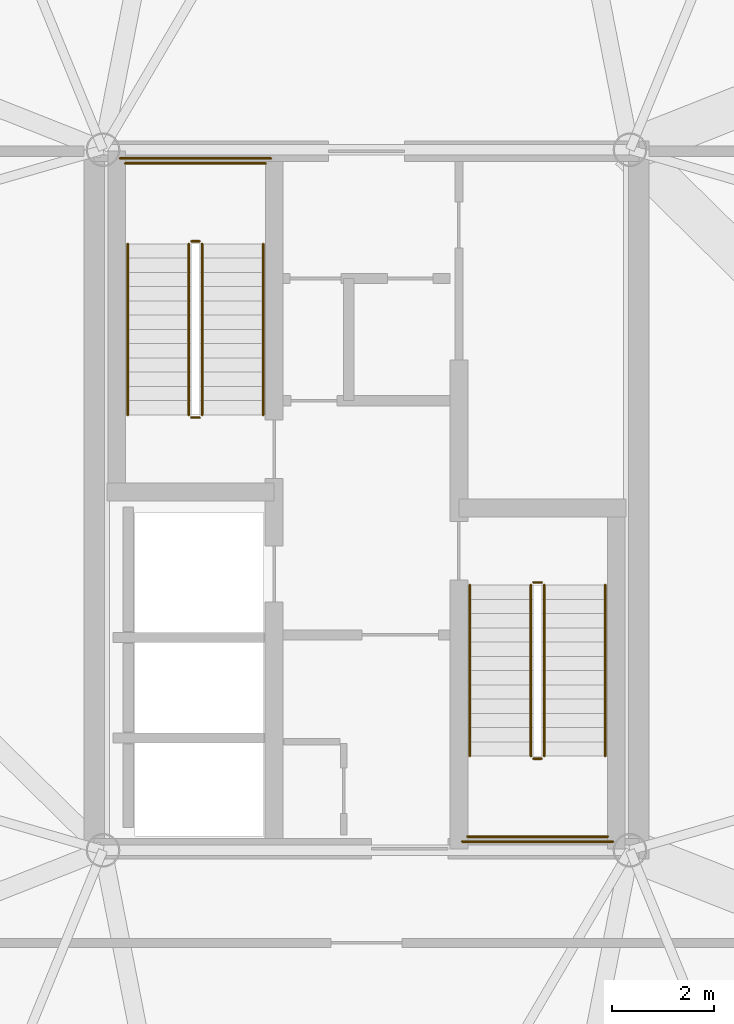
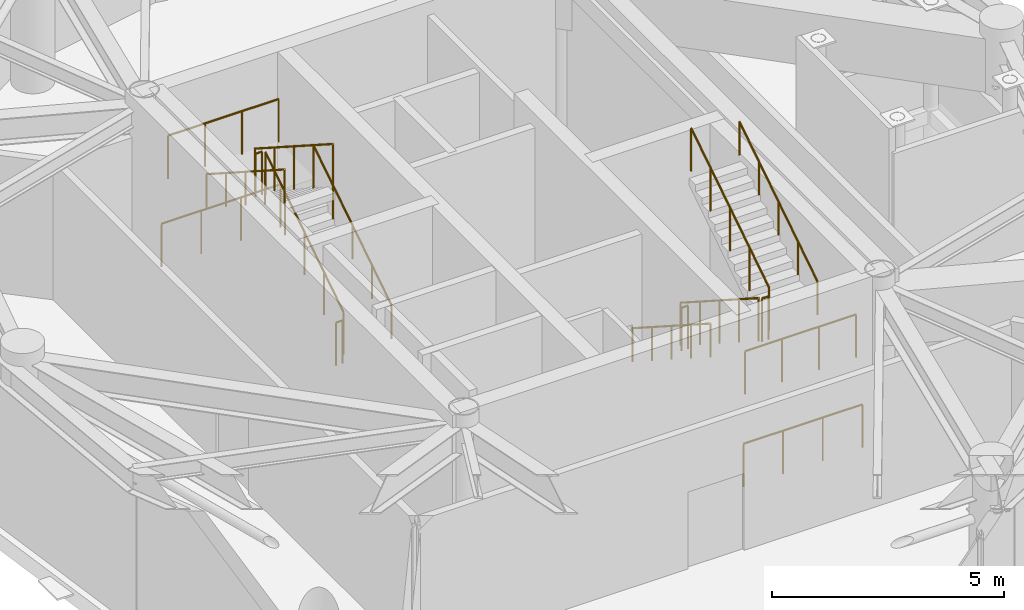
# One storey, part 27 of 28: 16 railings.
"""IFC4 building model written with IfcOpenShell, lengths in metres."""

from ifc_helpers import new_model, si_unit, direction, frame, origin, origin_2d, place, context, subcontext, project, spatial, circle, extrude, material, type_object, element, save


model = new_model("IFC4")

# Units and contexts
model_context = context("Model", 3, precision=1e-05, world=origin(), true_north=direction((0.0, 1.0)))
body_context = subcontext(model_context, "Body", "Model", "MODEL_VIEW")
ifc_project = project(units=[si_unit("LENGTHUNIT", "METRE"), si_unit("AREAUNIT", "SQUARE_METRE"), si_unit("VOLUMEUNIT", "CUBIC_METRE"), si_unit("PLANEANGLEUNIT", "RADIAN"), si_unit("MASSUNIT", "GRAM", prefix="KILO")], contexts=[model_context])

# Site, building, storey
site_placement = place(None, origin())
site = spatial("IfcSite", under=ifc_project, at=site_placement, CompositionType="ELEMENT")
building_placement = place(site_placement, origin())
building = spatial("IfcBuilding", under=site, at=building_placement, Name="Cununo Teusaquillo Station Towers", CompositionType="ELEMENT")
storey_placement = place(building_placement, frame((0.0, 0.0, 235.64990234375)))
storey = spatial("IfcBuildingStorey", under=building, at=storey_placement, Name="L75", CompositionType="ELEMENT", Elevation=235.64990234375)

# Railings
ifc_material_1 = material(Name="Steel EN 10025-2 S355J2", Category="steel")
railing_type_1 = type_object("IfcRailingType", Name="RL-INT-GUARD", PredefinedType="GUARDRAIL", material=ifc_material_1)
railing_1_placement = place(storey_placement, frame((13.27001953125, 26.169921875, 0.18017578125)))
element("IfcRailing", 1, at=railing_1_placement, inside=storey, type_object=railing_type_1, Name="L75 ST-T1-1 stair guard 1", PredefinedType="GUARDRAIL", context=body_context, shape_type="SweptSolid", body=[
    extrude(circle(Radius=0.02392578125, at=origin_2d()), frame((0.0, 0.0, 1.1259765625), z_axis=(0.0, 0.84119634759, 0.540729789082), x_axis=(-1.0, 0.0, 0.0)), (0.0, 0.0, 1.0), 3.994384765625),
    extrude(circle(Radius=0.02099609375, at=origin_2d()), origin(), (0.0, 0.0, 1.0), 1.101806640625),
    extrude(circle(Radius=0.02099609375, at=origin_2d()), frame((0.0, 0.840087890625, 0.5400390625)), (0.0, 0.0, 1.0), 1.101806640625),
    extrude(circle(Radius=0.02099609375, at=origin_2d()), frame((0.0, 1.68017578125, 1.080078125)), (0.0, 0.0, 1.0), 1.101806640625),
    extrude(circle(Radius=0.02099609375, at=origin_2d()), frame((0.0, 2.52001953125, 1.619873046875)), (0.0, 0.0, 1.0), 1.101806640625),
    extrude(circle(Radius=0.02099609375, at=origin_2d()), frame((0.0, 3.360107421875, 2.159912109375)), (0.0, 0.0, 1.0), 1.101806640625),
])
railing_2_placement = place(storey_placement, frame((13.219970703125, 29.580078125, 2.340087890625)))
element("IfcRailing", 2, at=railing_2_placement, inside=storey, type_object=railing_type_1, Name="L75 ST-T1-1 stair guard 2", PredefinedType="GUARDRAIL", context=body_context, shape_type="SweptSolid", body=[
    extrude(circle(Radius=0.02392578125, at=origin_2d()), frame((0.0, 0.0, 1.1259765625), z_axis=(-1.0, 0.0, 0.0), x_axis=(0.0, -1.0, 0.0)), (0.0, 0.0, 1.0), 0.159912109375),
    extrude(circle(Radius=0.02099609375, at=origin_2d()), origin(), (0.0, 0.0, 1.0), 1.101806640625),
    extrude(circle(Radius=0.02099609375, at=origin_2d()), frame((-0.159912109375, 0.0, 0.0)), (0.0, 0.0, 1.0), 1.101806640625),
])
railing_3_placement = place(storey_placement, frame((14.52001953125, 31.110107421875, 2.340087890625)))
element("IfcRailing", 3, at=railing_3_placement, inside=storey, type_object=railing_type_1, Name="L75 ST-T1-1 stair guard 3", PredefinedType="GUARDRAIL", context=body_context, shape_type="SweptSolid", body=[
    extrude(circle(Radius=0.02392578125, at=origin_2d()), frame((0.0, 0.0, 1.1259765625), z_axis=(-1.0, 0.0, 0.0), x_axis=(0.0, -1.0, 0.0)), (0.0, 0.0, 1.0), 2.760009765625),
    extrude(circle(Radius=0.02099609375, at=origin_2d()), origin(), (0.0, 0.0, 1.0), 1.101806640625),
    extrude(circle(Radius=0.02099609375, at=origin_2d()), frame((-0.919921875, 0.0, 0.0)), (0.0, 0.0, 1.0), 1.101806640625),
    extrude(circle(Radius=0.02099609375, at=origin_2d()), frame((-1.840087890625, 0.0, 0.0)), (0.0, 0.0, 1.0), 1.101806640625),
    extrude(circle(Radius=0.02099609375, at=origin_2d()), frame((-2.760009765625, 0.0, 0.0)), (0.0, 0.0, 1.0), 1.101806640625),
])
railing_4_placement = place(storey_placement, frame((13.010009765625, 29.530029296875, 2.52001953125)))
element("IfcRailing", 4, at=railing_4_placement, inside=storey, type_object=railing_type_1, Name="L75 ST-T1-1 stair guard 4", PredefinedType="GUARDRAIL", context=body_context, shape_type="SweptSolid", body=[
    extrude(circle(Radius=0.02392578125, at=origin_2d()), frame((0.0, 0.0, 1.1259765625), z_axis=(0.0, -0.8411685463, 0.540773036232), x_axis=(1.0, 0.0, 0.0)), (0.0, 0.0, 1.0), 3.99462890625),
    extrude(circle(Radius=0.02099609375, at=origin_2d()), origin(), (0.0, 0.0, 1.0), 1.101806640625),
    extrude(circle(Radius=0.02099609375, at=origin_2d()), frame((0.0, -0.840087890625, 0.5400390625)), (0.0, 0.0, 1.0), 1.101806640625),
    extrude(circle(Radius=0.02099609375, at=origin_2d()), frame((0.0, -1.68017578125, 1.080078125)), (0.0, 0.0, 1.0), 1.101806640625),
    extrude(circle(Radius=0.02099609375, at=origin_2d()), frame((0.0, -2.52001953125, 1.6201171875)), (0.0, 0.0, 1.0), 1.101806640625),
    extrude(circle(Radius=0.02099609375, at=origin_2d()), frame((0.0, -3.360107421875, 2.16015625)), (0.0, 0.0, 1.0), 1.101806640625),
])
railing_5_placement = place(storey_placement, frame((13.219970703125, 26.1201171875, 0.0)))
element("IfcRailing", 5, at=railing_5_placement, inside=storey, type_object=railing_type_1, Name="L75 ST-T1-1 stair guard 5", PredefinedType="GUARDRAIL", context=body_context, shape_type="SweptSolid", body=[
    extrude(circle(Radius=0.02392578125, at=origin_2d()), frame((0.0, 0.0, 1.1259765625), z_axis=(-1.0, 0.0, 0.0), x_axis=(0.0, -1.0, 0.0)), (0.0, 0.0, 1.0), 0.159912109375),
    extrude(circle(Radius=0.02099609375, at=origin_2d()), origin(), (0.0, 0.0, 1.0), 1.101806640625),
    extrude(circle(Radius=0.02099609375, at=origin_2d()), frame((-0.159912109375, 0.0, 0.0)), (0.0, 0.0, 1.0), 1.101806640625),
])
railing_6_placement = place(storey_placement, frame((14.6201171875, 31.2099609375, 0.0)))
element("IfcRailing", 6, at=railing_6_placement, inside=storey, type_object=railing_type_1, Name="L75 ST-T1-1 stair guard 6", PredefinedType="GUARDRAIL", context=body_context, shape_type="SweptSolid", body=[
    extrude(circle(Radius=0.02392578125, at=origin_2d()), frame((0.0, 0.0, 1.1259765625), z_axis=(-1.0, 0.0, 0.0), x_axis=(0.0, -1.0, 0.0)), (0.0, 0.0, 1.0), 2.960205078125),
    extrude(circle(Radius=0.02099609375, at=origin_2d()), origin(), (0.0, 0.0, 1.0), 1.101806640625),
    extrude(circle(Radius=0.02099609375, at=origin_2d()), frame((-0.98681640625, 0.0, 0.0)), (0.0, 0.0, 1.0), 1.101806640625),
    extrude(circle(Radius=0.02099609375, at=origin_2d()), frame((-1.973388671875, 0.0, 0.0)), (0.0, 0.0, 1.0), 1.101806640625),
    extrude(circle(Radius=0.02099609375, at=origin_2d()), frame((-2.960205078125, 0.0, 0.0)), (0.0, 0.0, 1.0), 1.101806640625),
])
railing_7_placement = place(storey_placement, frame((19.72998046875, 22.830078125, 0.18017578125)))
element("IfcRailing", 7, at=railing_7_placement, inside=storey, type_object=railing_type_1, Name="L75 ST-T1-2 stair guard 1", PredefinedType="GUARDRAIL", context=body_context, shape_type="SweptSolid", body=[
    extrude(circle(Radius=0.02392578125, at=origin_2d()), frame((0.0, 0.0, 1.1259765625), z_axis=(0.0, -0.84119634759, 0.540729789082), x_axis=(1.0, 0.0, 0.0)), (0.0, 0.0, 1.0), 3.994384765625),
    extrude(circle(Radius=0.02099609375, at=origin_2d()), origin(), (0.0, 0.0, 1.0), 1.101806640625),
    extrude(circle(Radius=0.02099609375, at=origin_2d()), frame((0.0, -0.840087890625, 0.5400390625)), (0.0, 0.0, 1.0), 1.101806640625),
    extrude(circle(Radius=0.02099609375, at=origin_2d()), frame((0.0, -1.68017578125, 1.080078125)), (0.0, 0.0, 1.0), 1.101806640625),
    extrude(circle(Radius=0.02099609375, at=origin_2d()), frame((0.0, -2.52001953125, 1.619873046875)), (0.0, 0.0, 1.0), 1.101806640625),
    extrude(circle(Radius=0.02099609375, at=origin_2d()), frame((0.0, -3.360107421875, 2.159912109375)), (0.0, 0.0, 1.0), 1.101806640625),
])
railing_8_placement = place(storey_placement, frame((19.780029296875, 19.419921875, 2.340087890625)))
element("IfcRailing", 8, at=railing_8_placement, inside=storey, type_object=railing_type_1, Name="L75 ST-T1-2 stair guard 2", PredefinedType="GUARDRAIL", context=body_context, shape_type="SweptSolid", body=[
    extrude(circle(Radius=0.02392578125, at=origin_2d()), frame((0.0, 0.0, 1.1259765625), z_axis=(1.0, 0.0, 0.0), x_axis=(0.0, 1.0, 0.0)), (0.0, 0.0, 1.0), 0.159912109375),
    extrude(circle(Radius=0.02099609375, at=origin_2d()), origin(), (0.0, 0.0, 1.0), 1.101806640625),
    extrude(circle(Radius=0.02099609375, at=origin_2d()), frame((0.159912109375, 0.0, 0.0)), (0.0, 0.0, 1.0), 1.101806640625),
])
railing_9_placement = place(storey_placement, frame((18.47998046875, 17.889892578125, 2.340087890625)))
element("IfcRailing", 9, at=railing_9_placement, inside=storey, type_object=railing_type_1, Name="L75 ST-T1-2 stair guard 3", PredefinedType="GUARDRAIL", context=body_context, shape_type="SweptSolid", body=[
    extrude(circle(Radius=0.02392578125, at=origin_2d()), frame((0.0, 0.0, 1.1259765625), z_axis=(1.0, 0.0, 0.0), x_axis=(0.0, 1.0, 0.0)), (0.0, 0.0, 1.0), 2.760009765625),
    extrude(circle(Radius=0.02099609375, at=origin_2d()), origin(), (0.0, 0.0, 1.0), 1.101806640625),
    extrude(circle(Radius=0.02099609375, at=origin_2d()), frame((0.919921875, 0.0, 0.0)), (0.0, 0.0, 1.0), 1.101806640625),
    extrude(circle(Radius=0.02099609375, at=origin_2d()), frame((1.840087890625, 0.0, 0.0)), (0.0, 0.0, 1.0), 1.101806640625),
    extrude(circle(Radius=0.02099609375, at=origin_2d()), frame((2.760009765625, 0.0, 0.0)), (0.0, 0.0, 1.0), 1.101806640625),
])
railing_10_placement = place(storey_placement, frame((19.989990234375, 19.469970703125, 2.52001953125)))
element("IfcRailing", 10, at=railing_10_placement, inside=storey, type_object=railing_type_1, Name="L75 ST-T1-2 stair guard 4", PredefinedType="GUARDRAIL", context=body_context, shape_type="SweptSolid", body=[
    extrude(circle(Radius=0.02392578125, at=origin_2d()), frame((0.0, 0.0, 1.1259765625), z_axis=(0.0, 0.8411685463, 0.540773036232), x_axis=(-1.0, 0.0, 0.0)), (0.0, 0.0, 1.0), 3.99462890625),
    extrude(circle(Radius=0.02099609375, at=origin_2d()), origin(), (0.0, 0.0, 1.0), 1.101806640625),
    extrude(circle(Radius=0.02099609375, at=origin_2d()), frame((0.0, 0.840087890625, 0.5400390625)), (0.0, 0.0, 1.0), 1.101806640625),
    extrude(circle(Radius=0.02099609375, at=origin_2d()), frame((0.0, 1.68017578125, 1.080078125)), (0.0, 0.0, 1.0), 1.101806640625),
    extrude(circle(Radius=0.02099609375, at=origin_2d()), frame((0.0, 2.52001953125, 1.6201171875)), (0.0, 0.0, 1.0), 1.101806640625),
    extrude(circle(Radius=0.02099609375, at=origin_2d()), frame((0.0, 3.360107421875, 2.16015625)), (0.0, 0.0, 1.0), 1.101806640625),
])
railing_11_placement = place(storey_placement, frame((19.780029296875, 22.8798828125, 0.0)))
element("IfcRailing", 11, at=railing_11_placement, inside=storey, type_object=railing_type_1, Name="L75 ST-T1-2 stair guard 5", PredefinedType="GUARDRAIL", context=body_context, shape_type="SweptSolid", body=[
    extrude(circle(Radius=0.02392578125, at=origin_2d()), frame((0.0, 0.0, 1.1259765625), z_axis=(1.0, 0.0, 0.0), x_axis=(0.0, 1.0, 0.0)), (0.0, 0.0, 1.0), 0.159912109375),
    extrude(circle(Radius=0.02099609375, at=origin_2d()), origin(), (0.0, 0.0, 1.0), 1.101806640625),
    extrude(circle(Radius=0.02099609375, at=origin_2d()), frame((0.159912109375, 0.0, 0.0)), (0.0, 0.0, 1.0), 1.101806640625),
])
railing_12_placement = place(storey_placement, frame((18.3798828125, 17.7900390625, 0.0)))
element("IfcRailing", 12, at=railing_12_placement, inside=storey, type_object=railing_type_1, Name="L75 ST-T1-2 stair guard 6", PredefinedType="GUARDRAIL", context=body_context, shape_type="SweptSolid", body=[
    extrude(circle(Radius=0.02392578125, at=origin_2d()), frame((0.0, 0.0, 1.1259765625), z_axis=(1.0, 0.0, 0.0), x_axis=(0.0, 1.0, 0.0)), (0.0, 0.0, 1.0), 2.960205078125),
    extrude(circle(Radius=0.02099609375, at=origin_2d()), origin(), (0.0, 0.0, 1.0), 1.101806640625),
    extrude(circle(Radius=0.02099609375, at=origin_2d()), frame((0.98681640625, 0.0, 0.0)), (0.0, 0.0, 1.0), 1.101806640625),
    extrude(circle(Radius=0.02099609375, at=origin_2d()), frame((1.973388671875, 0.0, 0.0)), (0.0, 0.0, 1.0), 1.101806640625),
    extrude(circle(Radius=0.02099609375, at=origin_2d()), frame((2.960205078125, 0.0, 0.0)), (0.0, 0.0, 1.0), 1.101806640625),
])
ifc_material_2 = material(Name="Steel EN 10025-2 S355J2", Category="steel")
railing_type_2 = type_object("IfcRailingType", Name="RL-INT-HRAIL", PredefinedType="HANDRAIL", material=ifc_material_2)
railing_13_placement = place(storey_placement, frame((14.469970703125, 26.169921875, 0.18017578125)))
element("IfcRailing", 13, at=railing_13_placement, inside=storey, type_object=railing_type_2, Name="L75 ST-T1-1 stair handrail 1", PredefinedType="HANDRAIL", context=body_context, shape_type="SweptSolid", body=[
    extrude(circle(Radius=0.02392578125, at=origin_2d()), frame((0.0, 0.0, 0.8759765625), z_axis=(0.0, 0.84119634759, 0.540729789082), x_axis=(-1.0, 0.0, 0.0)), (0.0, 0.0, 1.0), 3.994384765625),
    extrude(circle(Radius=0.02099609375, at=origin_2d()), origin(), (0.0, 0.0, 1.0), 0.851806640625),
    extrude(circle(Radius=0.02099609375, at=origin_2d()), frame((0.0, 0.840087890625, 0.5400390625)), (0.0, 0.0, 1.0), 0.851806640625),
    extrude(circle(Radius=0.02099609375, at=origin_2d()), frame((0.0, 1.68017578125, 1.080078125)), (0.0, 0.0, 1.0), 0.851806640625),
    extrude(circle(Radius=0.02099609375, at=origin_2d()), frame((0.0, 2.52001953125, 1.619873046875)), (0.0, 0.0, 1.0), 0.851806640625),
    extrude(circle(Radius=0.02099609375, at=origin_2d()), frame((0.0, 3.360107421875, 2.159912109375)), (0.0, 0.0, 1.0), 0.851806640625),
])
railing_14_placement = place(storey_placement, frame((11.81005859375, 29.530029296875, 2.52001953125)))
element("IfcRailing", 14, at=railing_14_placement, inside=storey, type_object=railing_type_2, Name="L75 ST-T1-1 stair handrail 2", PredefinedType="HANDRAIL", context=body_context, shape_type="SweptSolid", body=[
    extrude(circle(Radius=0.02392578125, at=origin_2d()), frame((0.0, 0.0, 0.8759765625), z_axis=(0.0, -0.8411685463, 0.540773036232), x_axis=(1.0, 0.0, 0.0)), (0.0, 0.0, 1.0), 3.99462890625),
    extrude(circle(Radius=0.02099609375, at=origin_2d()), origin(), (0.0, 0.0, 1.0), 0.851806640625),
    extrude(circle(Radius=0.02099609375, at=origin_2d()), frame((0.0, -0.840087890625, 0.5400390625)), (0.0, 0.0, 1.0), 0.851806640625),
    extrude(circle(Radius=0.02099609375, at=origin_2d()), frame((0.0, -1.68017578125, 1.080078125)), (0.0, 0.0, 1.0), 0.851806640625),
    extrude(circle(Radius=0.02099609375, at=origin_2d()), frame((0.0, -2.52001953125, 1.6201171875)), (0.0, 0.0, 1.0), 0.851806640625),
    extrude(circle(Radius=0.02099609375, at=origin_2d()), frame((0.0, -3.360107421875, 2.16015625)), (0.0, 0.0, 1.0), 0.851806640625),
])
railing_15_placement = place(storey_placement, frame((18.530029296875, 22.830078125, 0.18017578125)))
element("IfcRailing", 15, at=railing_15_placement, inside=storey, type_object=railing_type_2, Name="L75 ST-T1-2 stair handrail 1", PredefinedType="HANDRAIL", context=body_context, shape_type="SweptSolid", body=[
    extrude(circle(Radius=0.02392578125, at=origin_2d()), frame((0.0, 0.0, 0.8759765625), z_axis=(0.0, -0.84119634759, 0.540729789082), x_axis=(1.0, 0.0, 0.0)), (0.0, 0.0, 1.0), 3.994384765625),
    extrude(circle(Radius=0.02099609375, at=origin_2d()), origin(), (0.0, 0.0, 1.0), 0.851806640625),
    extrude(circle(Radius=0.02099609375, at=origin_2d()), frame((0.0, -0.840087890625, 0.5400390625)), (0.0, 0.0, 1.0), 0.851806640625),
    extrude(circle(Radius=0.02099609375, at=origin_2d()), frame((0.0, -1.68017578125, 1.080078125)), (0.0, 0.0, 1.0), 0.851806640625),
    extrude(circle(Radius=0.02099609375, at=origin_2d()), frame((0.0, -2.52001953125, 1.619873046875)), (0.0, 0.0, 1.0), 0.851806640625),
    extrude(circle(Radius=0.02099609375, at=origin_2d()), frame((0.0, -3.360107421875, 2.159912109375)), (0.0, 0.0, 1.0), 0.851806640625),
])
railing_16_placement = place(storey_placement, frame((21.18994140625, 19.469970703125, 2.52001953125)))
element("IfcRailing", 16, at=railing_16_placement, inside=storey, type_object=railing_type_2, Name="L75 ST-T1-2 stair handrail 2", PredefinedType="HANDRAIL", context=body_context, shape_type="SweptSolid", body=[
    extrude(circle(Radius=0.02392578125, at=origin_2d()), frame((0.0, 0.0, 0.8759765625), z_axis=(0.0, 0.8411685463, 0.540773036232), x_axis=(-1.0, 0.0, 0.0)), (0.0, 0.0, 1.0), 3.99462890625),
    extrude(circle(Radius=0.02099609375, at=origin_2d()), origin(), (0.0, 0.0, 1.0), 0.851806640625),
    extrude(circle(Radius=0.02099609375, at=origin_2d()), frame((0.0, 0.840087890625, 0.5400390625)), (0.0, 0.0, 1.0), 0.851806640625),
    extrude(circle(Radius=0.02099609375, at=origin_2d()), frame((0.0, 1.68017578125, 1.080078125)), (0.0, 0.0, 1.0), 0.851806640625),
    extrude(circle(Radius=0.02099609375, at=origin_2d()), frame((0.0, 2.52001953125, 1.6201171875)), (0.0, 0.0, 1.0), 0.851806640625),
    extrude(circle(Radius=0.02099609375, at=origin_2d()), frame((0.0, 3.360107421875, 2.16015625)), (0.0, 0.0, 1.0), 0.851806640625),
])

save(model, "model.ifc")
